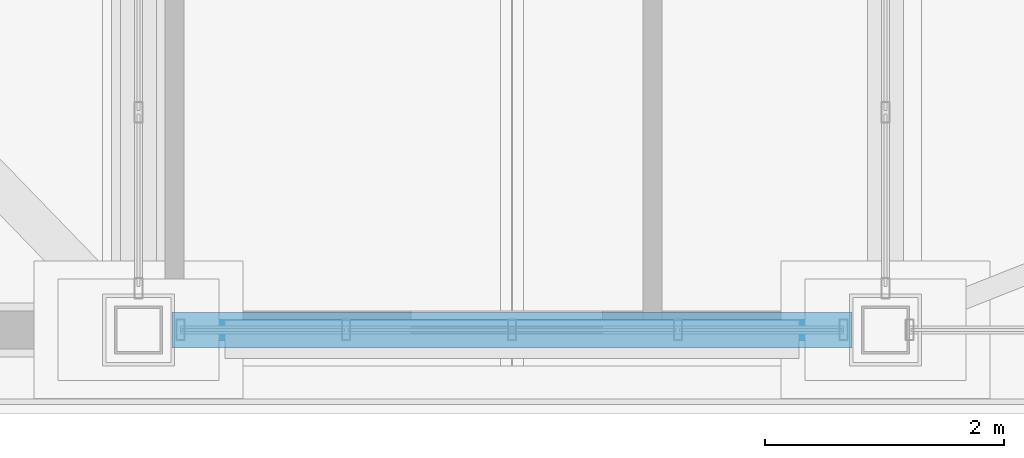
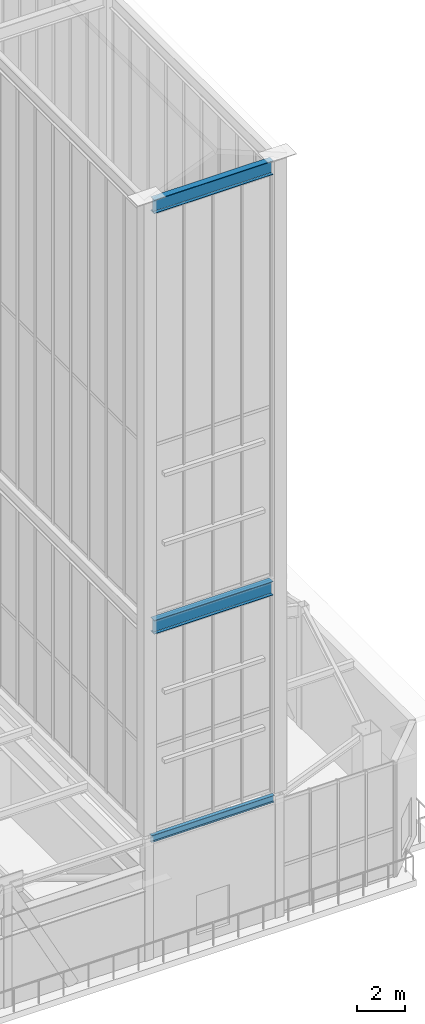
# One storey, part 34 of 135: 3 beams.
"""IFC4 building model written with IfcOpenShell, lengths in metres."""

import ifcopenshell
import ifcopenshell.guid

model = None  # the IFC model being written
_history = None  # IfcOwnerHistory: only IFC2X3 demands one
_inside = {}  # id of a spatial element -> (the spatial element, [elements in it])
_under = {}  # id of a project, library or spatial element -> (it, [spatial elements below it])
_declared = {}  # id of a project -> (the project, [libraries it declares])
_typed = {}  # id of a type object -> (the type object, [elements of that type])
_made_of = {}  # id of a material, layer set ... -> (it, [elements and type objects made of it])


def new_model(schema):
    """Start an empty IFC model of exactly this schema.

    Asked for "IFC4X3", IfcOpenShell would pick the latest addendum, in which some entities
    have other attributes; the version numbers below select the first issue.
    IFC2X3 requires an IfcOwnerHistory on every rooted entity: one is made here for all.
    """
    global model, _history
    if schema == "IFC4X3":
        model = ifcopenshell.file(schema_version=(4, 3, 0, 0))
    else:
        model = ifcopenshell.file(schema=schema)
    _inside.clear()
    _under.clear()
    _declared.clear()
    _typed.clear()
    _made_of.clear()
    _history = None
    if model.schema == "IFC2X3":
        org = make("IfcOrganization", Name="unknown")
        user = make(
            "IfcPersonAndOrganization",
            ThePerson=make("IfcPerson", FamilyName="unknown"),
            TheOrganization=org,
        )
        app = make(
            "IfcApplication",
            ApplicationDeveloper=org,
            Version="unknown",
            ApplicationFullName="unknown",
            ApplicationIdentifier="unknown",
        )
        _history = make(
            "IfcOwnerHistory",
            OwningUser=user,
            OwningApplication=app,
            ChangeAction="ADDED",
            CreationDate=0,
        )
    return model


def make(cls, **values):
    """One entity of the class cls with the attributes given. An attribute that is None is left unset."""
    return model.create_entity(
        cls, **{name: value for name, value in values.items() if value is not None}
    )


def rooted(cls, **values):
    """An entity with a GlobalId (a new one), such as an element, a storey or a relation."""
    return make(cls, GlobalId=ifcopenshell.guid.new(), OwnerHistory=_history, **values)


def si_unit(unit_type, name, prefix=None):
    """IfcSIUnit, for example si_unit("LENGTHUNIT", "METRE", prefix="MILLI")."""
    return make("IfcSIUnit", UnitType=unit_type, Prefix=prefix, Name=name)


def assignment(units):
    """IfcUnitAssignment: the units of a project."""
    return None if units is None else make("IfcUnitAssignment", Units=units)


def point(xyz):
    """IfcCartesianPoint."""
    return None if xyz is None else make("IfcCartesianPoint", Coordinates=xyz)


def direction(xyz):
    """IfcDirection."""
    return None if xyz is None else make("IfcDirection", DirectionRatios=xyz)


def frame(location, z_axis=None, x_axis=None):
    """IfcAxis2Placement3D, a coordinate frame: its origin and axes. An axis left out is left unset."""
    return make(
        "IfcAxis2Placement3D",
        Location=point(location),
        Axis=direction(z_axis),
        RefDirection=direction(x_axis),
    )


def frame_2d(location, x_axis=None):
    """IfcAxis2Placement2D, a coordinate frame in the plane: its origin and x axis."""
    return make(
        "IfcAxis2Placement2D", Location=point(location), RefDirection=direction(x_axis)
    )


def origin():
    """The frame at (0, 0, 0) with its axes left unset."""
    return frame((0.0, 0.0, 0.0))


def origin_2d():
    """The frame at (0, 0) in the plane with its x axis left unset."""
    return frame_2d((0.0, 0.0))


def place(relative_to, where):
    """IfcLocalPlacement: puts the frame where relative to a parent placement (None: the world)."""
    return make(
        "IfcLocalPlacement", PlacementRelTo=relative_to, RelativePlacement=where
    )


def context(
    kind, dimensions, precision=None, world=None, true_north=None, identifier=None
):
    """IfcGeometricRepresentationContext, for example the 3D "Model" context."""
    return make(
        "IfcGeometricRepresentationContext",
        ContextIdentifier=identifier,
        ContextType=kind,
        CoordinateSpaceDimension=dimensions,
        Precision=precision,
        WorldCoordinateSystem=world,
        TrueNorth=true_north,
    )


def subcontext(parent, identifier, kind, view, scale=None):
    """IfcGeometricRepresentationSubContext, for example "Body" below "Model"."""
    return make(
        "IfcGeometricRepresentationSubContext",
        ContextIdentifier=identifier,
        ContextType=kind,
        ParentContext=parent,
        TargetScale=scale,
        TargetView=view,
    )


def project(units=None, contexts=None):
    """IfcProject with its units and contexts."""
    return rooted(
        "IfcProject",
        Name="project",
        RepresentationContexts=contexts,
        UnitsInContext=assignment(units),
    )


def spatial(cls, under=None, at=None, **own):
    """A site, building, storey or space (cls), placed at a placement, below another one or the project."""
    s = rooted(cls, ObjectPlacement=at, **own)
    if under is not None:
        _under.setdefault(under.id(), (under, []))[1].append(s)
    return s


def profile(cls, at=None, kind="AREA", **sizes):
    """A parametric profile (cls). Its sizes go by their IFC names, for example OverallWidth=200.0."""
    return make(cls, ProfileType=kind, Position=at, **sizes)


def i_section(**sizes):
    """IfcIShapeProfileDef."""
    return profile("IfcIShapeProfileDef", **sizes)


def extrude(swept, where, along, depth):
    """IfcExtrudedAreaSolid: the profile swept, set in the frame where, extruded along a direction by depth."""
    return make(
        "IfcExtrudedAreaSolid",
        SweptArea=swept,
        Position=where,
        ExtrudedDirection=direction(along),
        Depth=depth,
    )


def shape(context_of_items, identifier, shape_type, items):
    """IfcShapeRepresentation: the items that make up one representation, for example the "Body"."""
    return make(
        "IfcShapeRepresentation",
        ContextOfItems=context_of_items,
        RepresentationIdentifier=identifier,
        RepresentationType=shape_type,
        Items=items,
    )


def source(mapping_origin, context_of_items, identifier, shape_type, items):
    """IfcRepresentationMap: a shape defined once, which mapped items show again and again."""
    return make(
        "IfcRepresentationMap",
        MappingOrigin=mapping_origin,
        MappedRepresentation=shape(context_of_items, identifier, shape_type, items),
    )


def transform(
    local_origin,
    x_axis=None,
    y_axis=None,
    z_axis=None,
    scale=None,
    scale2=None,
    scale3=None,
    uniform=True,
):
    """IfcCartesianTransformationOperator3D, or its non-uniform kind. x_axis, y_axis, z_axis: its Axis1, 2, 3."""
    if uniform:
        return make(
            "IfcCartesianTransformationOperator3D",
            Axis1=direction(x_axis),
            Axis2=direction(y_axis),
            LocalOrigin=point(local_origin),
            Scale=scale,
            Axis3=direction(z_axis),
        )
    return make(
        "IfcCartesianTransformationOperator3DnonUniform",
        Axis1=direction(x_axis),
        Axis2=direction(y_axis),
        LocalOrigin=point(local_origin),
        Scale=scale,
        Axis3=direction(z_axis),
        Scale2=scale2,
        Scale3=scale3,
    )


def mapped(mapping_source, mapping_target):
    """IfcMappedItem: shows the shape of a source again, moved by a transform."""
    return make(
        "IfcMappedItem", MappingSource=mapping_source, MappingTarget=mapping_target
    )


def material(Name=None, Category=None):
    """IfcMaterial."""
    return make("IfcMaterial", Name=Name, Category=Category)


def material_profile(
    of_material, cross_section, Name=None, Category=None, Priority=None
):
    """IfcMaterialProfile: a cross section and its material."""
    return make(
        "IfcMaterialProfile",
        Name=Name,
        Material=of_material,
        Profile=cross_section,
        Priority=Priority,
        Category=Category,
    )


def profile_set(profiles, Name=None, composite=None):
    """IfcMaterialProfileSet."""
    return make(
        "IfcMaterialProfileSet",
        Name=Name,
        MaterialProfiles=profiles,
        CompositeProfile=composite,
    )


def made_of(thing, what):
    """Note that an element or type object is made of a material, layer set ...; save() writes the relation."""
    if what is not None:
        _made_of.setdefault(what.id(), (what, []))[1].append(thing)
    return thing


def type_object(cls, material=None, **own):
    """A type object (cls), such as IfcWallType, which elements share."""
    return made_of(rooted(cls, **own), material)


def element(
    cls,
    number,
    at=None,
    inside=None,
    cuts=None,
    type_object=None,
    material=None,
    context=None,
    identifier="Body",
    shape_type=None,
    held_by="IfcProductDefinitionShape",
    body=None,
    shapes=None,
    **own,
):
    """One element of the class cls, such as IfcWall. Its Tag is "e" and its number.

    at: its placement. inside: the storey or other place that contains it. cuts: it is an
    opening in that element (IfcRelVoidsElement). A single representation is given by context,
    identifier, shape_type and body (its items); several are given by shapes. held_by: the class
    of the entity that holds the representations. save() writes the other relations.
    """
    e = rooted(cls, Tag="e%d" % number, ObjectPlacement=at, **own)
    if body is not None:
        shapes = [shape(context, identifier, shape_type, body)]
    if shapes is not None:
        e.Representation = make(held_by, Representations=shapes)
    if inside is not None:
        _inside.setdefault(inside.id(), (inside, []))[1].append(e)
    if cuts is not None:
        rooted(
            "IfcRelVoidsElement", RelatingBuildingElement=cuts, RelatedOpeningElement=e
        )
    if type_object is not None:
        _typed.setdefault(type_object.id(), (type_object, []))[1].append(e)
    return made_of(e, material)


def aggregate(whole, parts):
    """IfcRelAggregates: a whole, such as a stair, and the parts it consists of."""
    return rooted("IfcRelAggregates", RelatingObject=whole, RelatedObjects=parts)


def save(model, path):
    """Write the relations noted so far, then the file.

    IfcRelAggregates (storeys below a building ...), IfcRelContainedInSpatialStructure (elements
    in a storey), IfcRelDefinesByType, IfcRelAssociatesMaterial and IfcRelDeclares: one each for
    every whole, place, type object, material and project.
    """
    for whole, parts in _under.values():
        aggregate(whole, parts)
    for where, things in _inside.values():
        rooted(
            "IfcRelContainedInSpatialStructure",
            RelatedElements=things,
            RelatingStructure=where,
        )
    for kind, things in _typed.values():
        rooted("IfcRelDefinesByType", RelatedObjects=things, RelatingType=kind)
    for what, things in _made_of.values():
        rooted("IfcRelAssociatesMaterial", RelatedObjects=things, RelatingMaterial=what)
    for by, libraries in _declared.values():
        rooted("IfcRelDeclares", RelatingContext=by, RelatedDefinitions=libraries)
    model.write(path)


model = new_model("IFC4")

# Units and contexts
model_context = context("Model", 3, precision=1e-05, world=origin(), true_north=direction((0.0, 1.0)))
body_context = subcontext(model_context, "Body", "Model", "MODEL_VIEW")
ifc_project = project(units=[si_unit("LENGTHUNIT", "METRE"), si_unit("AREAUNIT", "SQUARE_METRE"), si_unit("VOLUMEUNIT", "CUBIC_METRE"), si_unit("PLANEANGLEUNIT", "RADIAN"), si_unit("MASSUNIT", "GRAM", prefix="KILO")], contexts=[model_context])

# Site, building, storey
site_placement = place(None, origin())
site = spatial("IfcSite", under=ifc_project, at=site_placement, CompositionType="ELEMENT")
building_placement = place(site_placement, origin())
building = spatial("IfcBuilding", under=site, at=building_placement, Name="Giltprow Tower", CompositionType="ELEMENT")
storey_placement = place(building_placement, frame((0.0, 0.0, 352.699951171875)))
storey = spatial("IfcBuildingStorey", under=building, at=storey_placement, Name="L92", CompositionType="ELEMENT", Elevation=352.699951171875)

# Beams
ifc_material = material(Name="Structural steel Q355B", Category="steel")
ifc_material_profile_1 = material_profile(ifc_material, i_section(OverallWidth=0.175048828125, OverallDepth=0.35009765625, WebThickness=0.007080078125, FlangeThickness=0.010986328125, at=origin_2d()), Name="HN 350x175x7x11")
ifc_profile_set_1 = profile_set([ifc_material_profile_1], Name="Structural steel Q355B")
beam_type_1 = type_object("IfcBeamType", Name="BM-SPAN-HN350", PredefinedType="SPANDREL", material=ifc_profile_set_1)
shared_shape_1 = source(origin(), body_context, "Body", "SweptSolid", [
    extrude(i_section(OverallWidth=0.175048828125, OverallDepth=0.35009765625, WebThickness=0.007080078125, FlangeThickness=0.010986328125, at=origin_2d()), origin(), (0.0, 0.0, 1.0), 5.8798828125),
])
beam_placement = place(storey_placement, frame((44.485107421875, 23.5, 5.985107421875), z_axis=(1.0, 0.0, 0.0), x_axis=(0.0, 1.0, 0.0)))
element("IfcBeam", 1, at=beam_placement, inside=storey, type_object=beam_type_1, Name="L92 Perimeter Spandrel Beam S3-S4", PredefinedType="SPANDREL", context=body_context, shape_type="MappedRepresentation", body=[
    mapped(shared_shape_1, transform((0.0, 0.0, 0.0), x_axis=(1.0, 0.0, 0.0), y_axis=(0.0, 1.0, 0.0), z_axis=(0.0, 0.0, 1.0), scale=1.0)),
])
ifc_material_profile_2 = material_profile(ifc_material, i_section(OverallWidth=0.300048828125, OverallDepth=0.699951171875, WebThickness=0.012939453125, FlangeThickness=0.02392578125, at=origin_2d()), Name="HN 700x300x13x24")
ifc_profile_set_2 = profile_set([ifc_material_profile_2], Name="Structural steel Q355B")
beam_type_2 = type_object("IfcBeamType", Name="BM-CRN-RING-HN700", PredefinedType="BEAM", material=ifc_profile_set_2)
shared_shape_2 = source(origin(), body_context, "Body", "SweptSolid", [
    extrude(i_section(OverallWidth=0.300048828125, OverallDepth=0.699951171875, WebThickness=0.012939453125, FlangeThickness=0.02392578125, at=origin_2d()), origin(), (0.0, 0.0, 1.0), 5.68994140625),
])
for number, where, z_axis, x_axis, name in (
    (2, (44.580078125, 23.5, 16.699951171875), (1.0, 0.0, 0.0), (0.0, 1.0, 0.0), "Crown Frame East Ring Beam 1-1"),
    (3, (44.580078125, 23.5, 37.966064453125), (1.0, 0.0, 0.0), (0.0, 1.0, 0.0), "Crown Frame East Ring Beam 2-1"),
):
    element("IfcBeam", number, at=place(storey_placement, frame(where, z_axis=z_axis, x_axis=x_axis)), inside=storey, type_object=beam_type_2, Name=name, PredefinedType="BEAM", context=body_context, shape_type="MappedRepresentation", body=[
        mapped(shared_shape_2, transform((0.0, 0.0, 0.0), x_axis=(1.0, 0.0, 0.0), y_axis=(0.0, 1.0, 0.0), z_axis=(0.0, 0.0, 1.0), scale=1.0)),
    ])

save(model, "model.ifc")
